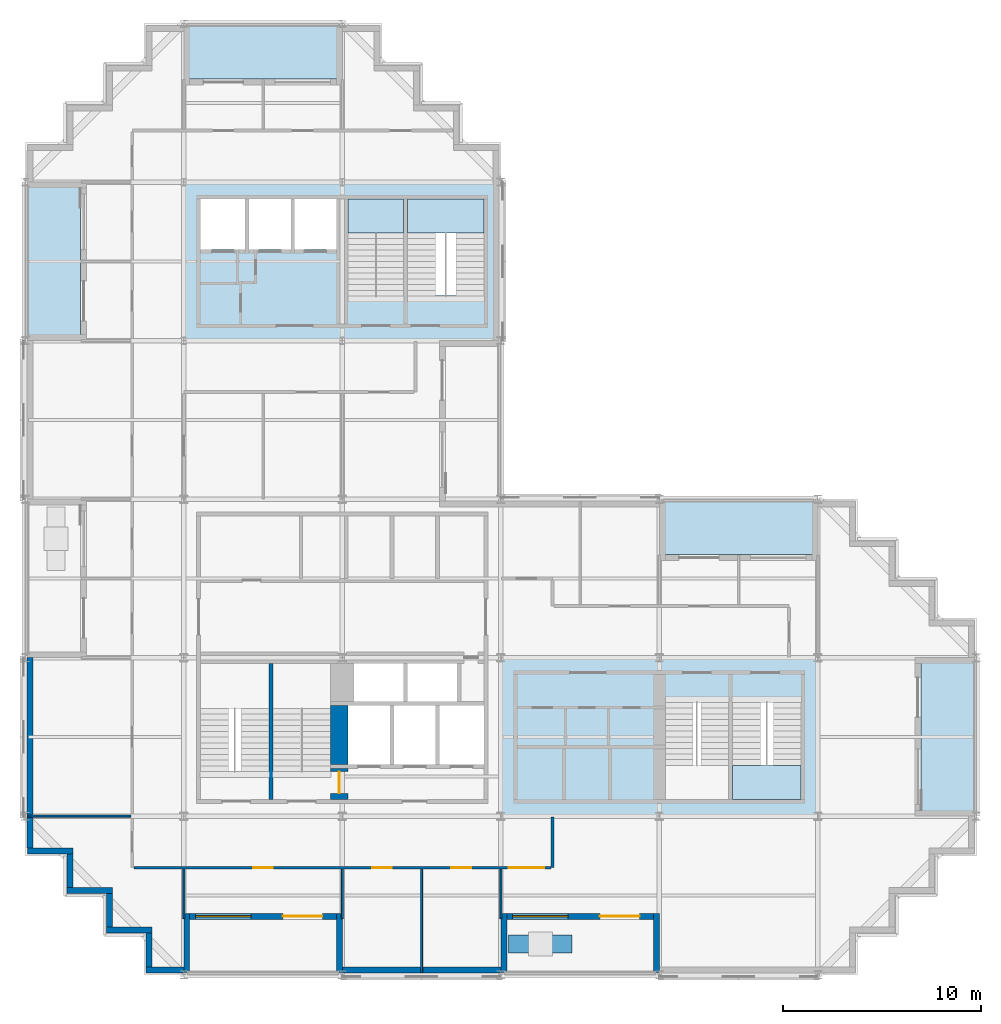
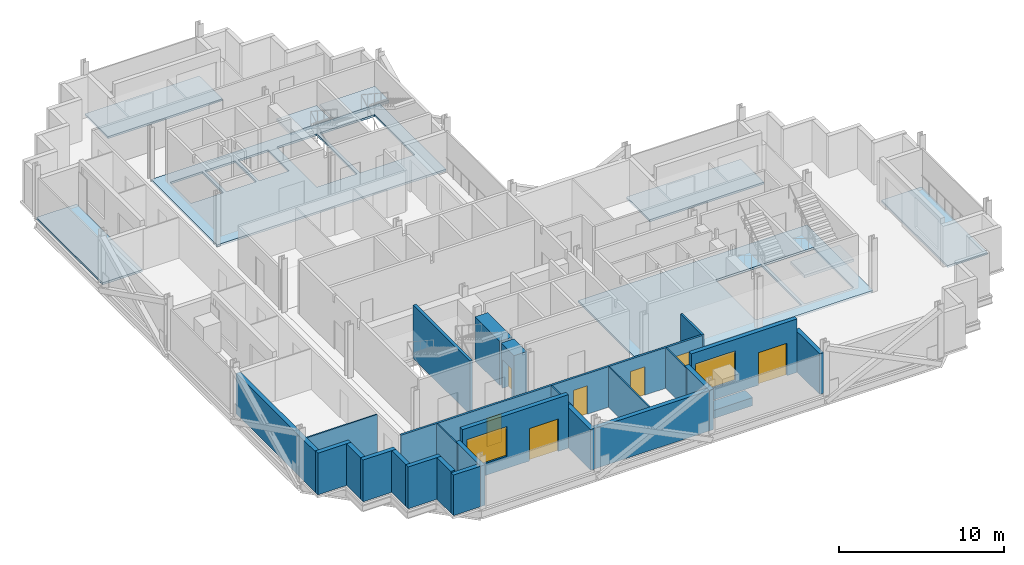
# One storey, part 4 of 12: 26 walls, 9 slabs, 7 doors, 2 windows, 9 openings, 3 elements without a shape of their own.
"""IFC4 building model written with IfcOpenShell, lengths in metres."""

from ifc_helpers import new_model, si_unit, direction, frame, frame_2d, origin, place, context, subcontext, project, spatial, polyline, rectangle, outline, extrude, material, layer, layer_set, type_object, element, fill, aggregate, save


model = new_model("IFC4")

# Units and contexts
model_context = context("Model", 3, precision=1e-05, world=origin(), true_north=direction((0.0, 1.0)))
body_context = subcontext(model_context, "Body", "Model", "MODEL_VIEW")
ifc_project = project(units=[si_unit("LENGTHUNIT", "METRE"), si_unit("AREAUNIT", "SQUARE_METRE"), si_unit("VOLUMEUNIT", "CUBIC_METRE"), si_unit("PLANEANGLEUNIT", "RADIAN"), si_unit("MASSUNIT", "GRAM", prefix="KILO")], contexts=[model_context])

# Site, building, storey
site_placement = place(None, origin())
site = spatial("IfcSite", under=ifc_project, at=site_placement, CompositionType="ELEMENT")
building_placement = place(site_placement, origin())
building = spatial("IfcBuilding", under=site, at=building_placement, Name="Immortelle Media Tower", CompositionType="ELEMENT")
storey_placement = place(building_placement, frame((0.0, 0.0, 178.800048828125)))
storey = spatial("IfcBuildingStorey", under=building, at=storey_placement, Name="L37", CompositionType="ELEMENT", Elevation=178.800048828125)

# Slabs
ifc_material_1 = material(Name="Concrete C50/60 composite deck", Category="concrete")
ifc_layer_1 = layer(ifc_material_1, 0.14990234375)
ifc_layer_set_1 = layer_set([ifc_layer_1], Name="Concrete C50/60 composite deck")
slab_type_1 = type_object("IfcSlabType", Name="Balcony slab 150", PredefinedType="FLOOR", material=ifc_layer_set_1)
slab_1_placement = place(storey_placement, frame((0.0, 0.0, -0.150146484375)))
element("IfcSlab", 1, at=slab_1_placement, inside=storey, type_object=slab_type_1, Name="Balcony slab L37 E0", PredefinedType="FLOOR", context=body_context, shape_type="SweptSolid", body=[
    extrude(outline(polyline([(48.0, 8.0), (48.0, 16.0), (45.199951171875, 16.0), (45.199951171875, 8.0), (48.0, 8.0)])), origin(), (0.0, 0.0, 1.0), 0.150146484375),
])
slab_2_placement = place(storey_placement, frame((0.0, 0.0, -0.150146484375)))
element("IfcSlab", 2, at=slab_2_placement, inside=storey, type_object=slab_type_1, Name="Balcony slab L37 N0", PredefinedType="FLOOR", context=body_context, shape_type="SweptSolid", body=[
    extrude(outline(polyline([(40.0, 21.199951171875), (40.0, 24.0), (32.0, 24.0), (32.0, 21.199951171875), (40.0, 21.199951171875)])), origin(), (0.0, 0.0, 1.0), 0.150146484375),
])
slab_3_placement = place(storey_placement, frame((0.0, 0.0, -0.150146484375)))
element("IfcSlab", 3, at=slab_3_placement, inside=storey, type_object=slab_type_1, Name="Balcony slab L37 N0", PredefinedType="FLOOR", context=body_context, shape_type="SweptSolid", body=[
    extrude(outline(polyline([(16.0, 45.199951171875), (16.0, 48.0), (8.0, 48.0), (8.0, 45.199951171875), (16.0, 45.199951171875)])), origin(), (0.0, 0.0, 1.0), 0.150146484375),
])
slab_4_placement = place(storey_placement, frame((0.0, 0.0, -0.150146484375)))
element("IfcSlab", 4, at=slab_4_placement, inside=storey, type_object=slab_type_1, Name="Balcony slab L37 W0", PredefinedType="FLOOR", context=body_context, shape_type="SweptSolid", body=[
    extrude(outline(polyline([(2.800048828125, 32.0), (2.800048828125, 40.0), (0.0, 40.0), (0.0, 32.0), (2.800048828125, 32.0)])), origin(), (0.0, 0.0, 1.0), 0.150146484375),
])
ifc_material_2 = material(Name="Concrete C50/60", Category="concrete")
ifc_layer_2 = layer(ifc_material_2, 0.14990234375)
ifc_layer_set_2 = layer_set([ifc_layer_2], Name="Concrete C50/60")
slab_type_2 = type_object("IfcSlabType", Name="Core floor slab 150", PredefinedType="FLOOR", material=ifc_layer_set_2)
slab_5_placement = place(storey_placement, frame((0.0, 0.0, -0.150146484375)))
element("IfcSlab", 5, at=slab_5_placement, inside=storey, type_object=slab_type_2, Name="Core floor SE", PredefinedType="FLOOR", context=body_context, shape_type="SweptSolid", body=[
    extrude(outline(polyline([(24.0, 8.0), (40.0, 8.0), (40.0, 16.0), (24.0, 16.0), (24.0, 8.0)]), holes=[polyline([(32.300048828125, 8.85009765625), (35.5, 8.85009765625), (35.5, 13.72998046875), (32.300048828125, 13.72998046875), (32.300048828125, 8.85009765625)]), polyline([(35.699951171875, 8.85009765625), (39.14990234375, 8.85009765625), (39.14990234375, 13.72998046875), (35.699951171875, 13.72998046875), (35.699951171875, 8.85009765625)])]), origin(), (0.0, 0.0, 1.0), 0.150146484375),
])
slab_6_placement = place(storey_placement, frame((0.0, 0.0, -0.150146484375)))
element("IfcSlab", 6, at=slab_6_placement, inside=storey, type_object=slab_type_2, Name="Core floor NW", PredefinedType="FLOOR", context=body_context, shape_type="SweptSolid", body=[
    extrude(outline(polyline([(8.0, 32.0), (24.0, 32.0), (24.0, 40.0), (8.0, 40.0), (8.0, 32.0)]), holes=[polyline([(8.85009765625, 36.60009765625), (11.10009765625, 36.60009765625), (11.10009765625, 39.14990234375), (8.85009765625, 39.14990234375), (8.85009765625, 36.60009765625)]), polyline([(11.300048828125, 36.60009765625), (13.39990234375, 36.60009765625), (13.39990234375, 39.14990234375), (11.300048828125, 39.14990234375), (11.300048828125, 36.60009765625)]), polyline([(13.60009765625, 36.60009765625), (15.699951171875, 36.60009765625), (15.699951171875, 39.14990234375), (13.60009765625, 39.14990234375), (13.60009765625, 36.60009765625)]), polyline([(16.300048828125, 34.27001953125), (19.10009765625, 34.27001953125), (19.10009765625, 39.14990234375), (16.300048828125, 39.14990234375), (16.300048828125, 34.27001953125)]), polyline([(19.300048828125, 34.27001953125), (23.14990234375, 34.27001953125), (23.14990234375, 39.14990234375), (19.300048828125, 39.14990234375), (19.300048828125, 34.27001953125)])]), origin(), (0.0, 0.0, 1.0), 0.150146484375),
])

# Stair, slab
ifc_material_3 = material(Name="Steel ASTM A992 Gr 50", Category="steel")
stair_type = type_object("IfcStairType", Name="Stair with flights", PredefinedType="DOUBLE_RETURN_STAIR", material=ifc_material_3)
stair_1_placement = place(storey_placement, origin())
stair_1 = element("IfcStair", 7, at=stair_1_placement, inside=storey, type_object=stair_type, Name="Exit stair SE2", PredefinedType="DOUBLE_RETURN_STAIR")
ifc_material_4 = material(Name="Steel ASTM A572 Gr 50", Category="steel")
ifc_layer_3 = layer(ifc_material_4, 0.199951171875)
ifc_layer_set_3 = layer_set([ifc_layer_3], Name="Steel ASTM A572 Gr 50")
slab_type_3 = type_object("IfcSlabType", Name="Stair landing 200", PredefinedType="LANDING", material=ifc_layer_set_3)
slab_7_placement = place(storey_placement, frame((0.0, 0.0, 1.89990234375)))
slab_7 = element("IfcSlab", 8, at=slab_7_placement, type_object=slab_type_3, Name="ST SE2 landing 1", PredefinedType="LANDING", context=body_context, shape_type="SweptSolid", body=[
    extrude(outline(polyline([(35.699951171875, 8.85009765625), (39.14990234375, 8.85009765625), (39.14990234375, 10.56005859375), (35.699951171875, 10.56005859375), (35.699951171875, 8.85009765625)])), origin(), (0.0, 0.0, 1.0), 0.199951171875),
])
aggregate(stair_1, [slab_7])

stair_2_placement = place(storey_placement, origin())
stair_2 = element("IfcStair", 9, at=stair_2_placement, inside=storey, type_object=stair_type, Name="Exit stair NW1", PredefinedType="DOUBLE_RETURN_STAIR")
slab_8_placement = place(storey_placement, frame((0.0, 0.0, 1.89990234375)))
slab_8 = element("IfcSlab", 10, at=slab_8_placement, type_object=slab_type_3, Name="ST NW1 landing 1", PredefinedType="LANDING", context=body_context, shape_type="SweptSolid", body=[
    extrude(outline(polyline([(16.300048828125, 37.43994140625), (19.10009765625, 37.43994140625), (19.10009765625, 39.14990234375), (16.300048828125, 39.14990234375), (16.300048828125, 37.43994140625)])), origin(), (0.0, 0.0, 1.0), 0.199951171875),
])
aggregate(stair_2, [slab_8])

stair_3_placement = place(storey_placement, origin())
stair_3 = element("IfcStair", 11, at=stair_3_placement, inside=storey, type_object=stair_type, Name="Exit stair NW2", PredefinedType="DOUBLE_RETURN_STAIR")
slab_9_placement = place(storey_placement, frame((0.0, 0.0, 1.89990234375)))
slab_9 = element("IfcSlab", 12, at=slab_9_placement, type_object=slab_type_3, Name="ST NW2 landing 1", PredefinedType="LANDING", context=body_context, shape_type="SweptSolid", body=[
    extrude(outline(polyline([(19.300048828125, 37.43994140625), (23.14990234375, 37.43994140625), (23.14990234375, 39.14990234375), (19.300048828125, 39.14990234375), (19.300048828125, 37.43994140625)])), origin(), (0.0, 0.0, 1.0), 0.199951171875),
])
aggregate(stair_3, [slab_9])

# Wall, openings, doors
ifc_material_5 = material(Name="Fire-rated gypsum board", Category="gypsum")
ifc_layer_4 = layer(ifc_material_5, 0.012451171875)
ifc_material_6 = material(Name="Steel ASTM A653 SS Gr 50 stud frame with mineral wool", Category="steel")
ifc_layer_5 = layer(ifc_material_6, 0.125)
ifc_layer_6 = layer(ifc_material_5, 0.012451171875)
ifc_layer_set_4 = layer_set([ifc_layer_4, ifc_layer_5, ifc_layer_6], Name="Steel ASTM A653 SS Gr 50 stud frame with mineral wool")
wall_type_1 = type_object("IfcWallType", Name="Corridor wall 150", PredefinedType="PARTITIONING", material=ifc_layer_set_4)
wall_1_placement = place(storey_placement, frame((5.47509765625, 5.39990234375, 0.0), z_axis=(0.0, 0.0, 1.0), x_axis=(1.0, 0.0, 0.0)))
wall_1 = element("IfcWall", 13, at=wall_1_placement, inside=storey, type_object=wall_type_1, Name="Partition L37-005", PredefinedType="PARTITIONING", context=body_context, shape_type="SweptSolid", body=[
    extrude(rectangle(XDim=21.0498046875, YDim=0.14990234375, at=frame_2d((10.52490234375, 0.0))), origin(), (0.0, 0.0, 1.0), 2.993896484375),
])
opening_1_placement = place(wall_1_placement, frame((13.02490234375, 0.0, 0.0), z_axis=(0.0, 0.0, 1.0), x_axis=(-1.0, 0.0, 0.0)))
opening_1 = element("IfcOpeningElement", 14, at=opening_1_placement, cuts=wall_1, Name="Opening C6-F001", PredefinedType="OPENING", context=body_context, shape_type="SweptSolid", body=[
    extrude(rectangle(XDim=1.0, YDim=2.10009765625, at=frame_2d((0.5, 1.050048828125))), frame((0.0, 0.0849609375, 0.0), z_axis=(0.0, -1.0, 0.0), x_axis=(1.0, 0.0, 0.0)), (0.0, 0.0, 1.0), 0.169921875),
])
opening_2_placement = place(wall_1_placement, frame((17.02490234375, 0.0, 0.0), z_axis=(0.0, 0.0, 1.0), x_axis=(-1.0, 0.0, 0.0)))
opening_2 = element("IfcOpeningElement", 15, at=opening_2_placement, cuts=wall_1, Name="Opening C6-F002", PredefinedType="OPENING", context=body_context, shape_type="SweptSolid", body=[
    extrude(rectangle(XDim=1.0, YDim=2.10009765625, at=frame_2d((0.5, 1.050048828125))), frame((0.0, 0.0849609375, 0.0), z_axis=(0.0, -1.0, 0.0), x_axis=(1.0, 0.0, 0.0)), (0.0, 0.0, 1.0), 0.169921875),
])
opening_3_placement = place(wall_1_placement, frame((7.02490234375, 0.0, 0.0), z_axis=(0.0, 0.0, 1.0), x_axis=(-1.0, 0.0, 0.0)))
opening_3 = element("IfcOpeningElement", 16, at=opening_3_placement, cuts=wall_1, Name="Opening C6-F003", PredefinedType="OPENING", context=body_context, shape_type="SweptSolid", body=[
    extrude(rectangle(XDim=1.0, YDim=2.10009765625, at=frame_2d((0.5, 1.050048828125))), frame((0.0, 0.0849609375, 0.0), z_axis=(0.0, -1.0, 0.0), x_axis=(1.0, 0.0, 0.0)), (0.0, 0.0, 1.0), 0.169921875),
])
opening_4_placement = place(wall_1_placement, frame((18.925048828125, 0.0, 0.0)))
opening_4 = element("IfcOpeningElement", 17, at=opening_4_placement, cuts=wall_1, Name="Opening C6-F005", PredefinedType="OPENING", context=body_context, shape_type="SweptSolid", body=[
    extrude(rectangle(XDim=1.800048828125, YDim=2.10009765625, at=frame_2d((0.89990234375, 1.050048828125))), frame((0.0, 0.0849609375, 0.0), z_axis=(0.0, -1.0, 0.0), x_axis=(1.0, 0.0, 0.0)), (0.0, 0.0, 1.0), 0.169921875),
])
ifc_material_7 = material(Name="Timber veneered door leaf, galvanised steel frame ASTM A653", Category="steel")
door_type_1 = type_object("IfcDoorType", Name="Room door 1000 x 2100", OperationType="NOTDEFINED", PredefinedType="DOOR", material=ifc_material_7)
door_1_placement = place(opening_1_placement, origin())
door_1 = element("IfcDoor", 18, at=door_1_placement, inside=storey, type_object=door_type_1, Name="Door C6-F001", OperationType="SINGLE_SWING_RIGHT", OverallHeight=2.10009765625, OverallWidth=1.0, PredefinedType="DOOR", context=body_context, shape_type="SweptSolid", body=[
    extrude(rectangle(XDim=1.0, YDim=2.10009765625, at=frame_2d((0.5, 1.050048828125))), frame((0.0, 0.02490234375, 0.0), z_axis=(0.0, -1.0, 0.0), x_axis=(1.0, 0.0, 0.0)), (0.0, 0.0, 1.0), 0.050048828125),
])
fill(opening_1, door_1)
door_2_placement = place(opening_2_placement, origin())
door_2 = element("IfcDoor", 19, at=door_2_placement, inside=storey, type_object=door_type_1, Name="Door C6-F002", OperationType="SINGLE_SWING_RIGHT", OverallHeight=2.10009765625, OverallWidth=1.0, PredefinedType="DOOR", context=body_context, shape_type="SweptSolid", body=[
    extrude(rectangle(XDim=1.0, YDim=2.10009765625, at=frame_2d((0.5, 1.050048828125))), frame((0.0, 0.02490234375, 0.0), z_axis=(0.0, -1.0, 0.0), x_axis=(1.0, 0.0, 0.0)), (0.0, 0.0, 1.0), 0.050048828125),
])
fill(opening_2, door_2)
door_3_placement = place(opening_3_placement, origin())
door_3 = element("IfcDoor", 20, at=door_3_placement, inside=storey, type_object=door_type_1, Name="Door C6-F003", OperationType="SINGLE_SWING_LEFT", OverallHeight=2.10009765625, OverallWidth=1.0, PredefinedType="DOOR", context=body_context, shape_type="SweptSolid", body=[
    extrude(rectangle(XDim=1.0, YDim=2.10009765625, at=frame_2d((0.5, 1.050048828125))), frame((0.0, 0.02490234375, 0.0), z_axis=(0.0, -1.0, 0.0), x_axis=(1.0, 0.0, 0.0)), (0.0, 0.0, 1.0), 0.050048828125),
])
fill(opening_3, door_3)
door_type_2 = type_object("IfcDoorType", Name="Room door 1800 x 2100", OperationType="DOUBLE_DOOR_SINGLE_SWING", PredefinedType="DOOR", material=ifc_material_7)
door_4_placement = place(opening_4_placement, origin())
door_4 = element("IfcDoor", 21, at=door_4_placement, inside=storey, type_object=door_type_2, Name="Door C6-F005", OperationType="DOUBLE_DOOR_SINGLE_SWING", OverallHeight=2.10009765625, OverallWidth=1.800048828125, PredefinedType="DOOR", context=body_context, shape_type="SweptSolid", body=[
    extrude(rectangle(XDim=1.800048828125, YDim=2.10009765625, at=frame_2d((0.89990234375, 1.050048828125))), frame((0.0, 0.02490234375, 0.0), z_axis=(0.0, -1.0, 0.0), x_axis=(1.0, 0.0, 0.0)), (0.0, 0.0, 1.0), 0.050048828125),
])
fill(opening_4, door_4)

# Walls
wall_2_placement = place(storey_placement, frame((26.60009765625, 5.39990234375, 0.0), z_axis=(0.0, 0.0, 1.0), x_axis=(0.0, 1.0, 0.0)))
element("IfcWall", 22, at=wall_2_placement, inside=storey, type_object=wall_type_1, Name="Partition L37-007", PredefinedType="PARTITIONING", context=body_context, shape_type="SweptSolid", body=[
    extrude(rectangle(XDim=2.570068359375, YDim=0.14990234375, at=frame_2d((1.28515625, 0.0))), origin(), (0.0, 0.0, 1.0), 2.993896484375),
])
ifc_material_8 = material(Name="Pale aluminium cladding panel", Category="aluminium")
ifc_layer_7 = layer(ifc_material_8, 0.030029296875)
ifc_layer_8 = layer(ifc_material_6, 0.257568359375)
ifc_material_9 = material(Name="Moisture-resistant gypsum board", Category="gypsum")
ifc_layer_9 = layer(ifc_material_9, 0.012451171875)
ifc_layer_set_5 = layer_set([ifc_layer_7, ifc_layer_8, ifc_layer_9], Name="Steel ASTM A653 SS Gr 50 stud frame with mineral wool")
wall_type_2 = type_object("IfcWallType", Name="Facade wall 300", PredefinedType="SOLIDWALL", material=ifc_layer_set_5)
wall_3_placement = place(storey_placement, frame((0.10009765625, 6.25, 0.0), z_axis=(0.0, 0.0, 1.0), x_axis=(1.0, 0.0, 0.0)))
element("IfcWall", 23, at=wall_3_placement, inside=storey, type_object=wall_type_2, Name="Facade wall L37 S0", PredefinedType="SOLIDWALL", context=body_context, shape_type="SweptSolid", body=[
    extrude(rectangle(XDim=2.2998046875, YDim=0.300048828125, at=frame_2d((1.14990234375, 0.0))), origin(), (0.0, 0.0, 1.0), 3.087890625),
])
wall_4_placement = place(storey_placement, frame((2.25, 6.10009765625, 0.0), z_axis=(0.0, 0.0, 1.0), x_axis=(0.0, -1.0, 0.0)))
element("IfcWall", 24, at=wall_4_placement, inside=storey, type_object=wall_type_2, Name="Facade wall L37 W1", PredefinedType="SOLIDWALL", context=body_context, shape_type="SweptSolid", body=[
    extrude(rectangle(XDim=1.7001953125, YDim=0.300048828125, at=frame_2d((0.85009765625, 0.0))), origin(), (0.0, 0.0, 1.0), 3.087890625),
])
wall_5_placement = place(storey_placement, frame((2.10009765625, 4.25, 0.0), z_axis=(0.0, 0.0, 1.0), x_axis=(1.0, 0.0, 0.0)))
element("IfcWall", 25, at=wall_5_placement, inside=storey, type_object=wall_type_2, Name="Facade wall L37 S2", PredefinedType="SOLIDWALL", context=body_context, shape_type="SweptSolid", body=[
    extrude(rectangle(XDim=2.2998046875, YDim=0.300048828125, at=frame_2d((1.14990234375, 0.0))), origin(), (0.0, 0.0, 1.0), 3.087890625),
])
wall_6_placement = place(storey_placement, frame((4.25, 4.10009765625, 0.0), z_axis=(0.0, 0.0, 1.0), x_axis=(0.0, -1.0, 0.0)))
element("IfcWall", 26, at=wall_6_placement, inside=storey, type_object=wall_type_2, Name="Facade wall L37 W3", PredefinedType="SOLIDWALL", context=body_context, shape_type="SweptSolid", body=[
    extrude(rectangle(XDim=1.7001953125, YDim=0.300048828125, at=frame_2d((0.85009765625, 0.0))), origin(), (0.0, 0.0, 1.0), 3.087890625),
])
wall_7_placement = place(storey_placement, frame((4.10009765625, 2.25, 0.0), z_axis=(0.0, 0.0, 1.0), x_axis=(1.0, 0.0, 0.0)))
element("IfcWall", 27, at=wall_7_placement, inside=storey, type_object=wall_type_2, Name="Facade wall L37 S4", PredefinedType="SOLIDWALL", context=body_context, shape_type="SweptSolid", body=[
    extrude(rectangle(XDim=2.2998046875, YDim=0.300048828125, at=frame_2d((1.14990234375, 0.0))), origin(), (0.0, 0.0, 1.0), 3.087890625),
])
wall_8_placement = place(storey_placement, frame((6.25, 2.10009765625, 0.0), z_axis=(0.0, 0.0, 1.0), x_axis=(0.0, -1.0, 0.0)))
element("IfcWall", 28, at=wall_8_placement, inside=storey, type_object=wall_type_2, Name="Facade wall L37 W5", PredefinedType="SOLIDWALL", context=body_context, shape_type="SweptSolid", body=[
    extrude(rectangle(XDim=1.7001953125, YDim=0.300048828125, at=frame_2d((0.85009765625, 0.0))), origin(), (0.0, 0.0, 1.0), 3.087890625),
])
wall_9_placement = place(storey_placement, frame((6.10009765625, 0.25, 0.0), z_axis=(0.0, 0.0, 1.0), x_axis=(1.0, 0.0, 0.0)))
element("IfcWall", 29, at=wall_9_placement, inside=storey, type_object=wall_type_2, Name="Facade wall L37 S6", PredefinedType="SOLIDWALL", context=body_context, shape_type="SweptSolid", body=[
    extrude(rectangle(XDim=1.89990234375, YDim=0.300048828125, at=frame_2d((0.949951171875, 0.0))), origin(), (0.0, 0.0, 1.0), 2.9990234375),
])

# Wall, openings, door, window
wall_10_placement = place(storey_placement, frame((8.300048828125, 2.949951171875, 0.0), z_axis=(0.0, 0.0, 1.0), x_axis=(1.0, 0.0, 0.0)))
wall_10 = element("IfcWall", 30, at=wall_10_placement, inside=storey, type_object=wall_type_2, Name="Loggia wall L37 S6", PredefinedType="SOLIDWALL", context=body_context, shape_type="SweptSolid", body=[
    extrude(rectangle(XDim=7.39990234375, YDim=0.300048828125, at=frame_2d((3.699951171875, 0.0))), origin(), (0.0, 0.0, 1.0), 3.949951171875),
])
opening_5_placement = place(wall_10_placement, frame((0.300048828125, 0.0, 0.89990234375)))
opening_5 = element("IfcOpeningElement", 31, at=opening_5_placement, cuts=wall_10, Name="Opening W1", PredefinedType="OPENING", context=body_context, shape_type="SweptSolid", body=[
    extrude(rectangle(XDim=2.800048828125, YDim=2.199951171875, at=frame_2d((1.39990234375, 1.10009765625))), frame((0.0, 0.159912109375, 0.0), z_axis=(0.0, -1.0, 0.0), x_axis=(1.0, 0.0, 0.0)), (0.0, 0.0, 1.0), 0.320068359375),
])
opening_6_placement = place(wall_10_placement, frame((4.699951171875, 0.0, 0.0)))
opening_6 = element("IfcOpeningElement", 32, at=opening_6_placement, cuts=wall_10, Name="Opening C6-E001", PredefinedType="OPENING", context=body_context, shape_type="SweptSolid", body=[
    extrude(rectangle(XDim=2.0, YDim=2.39990234375, at=frame_2d((1.0, 1.199951171875))), frame((0.0, 0.159912109375, 0.0), z_axis=(0.0, -1.0, 0.0), x_axis=(1.0, 0.0, 0.0)), (0.0, 0.0, 1.0), 0.320068359375),
])
ifc_material_10 = material(Name="Aluminium frame, glazed leaves", Category="aluminium")
door_type_3 = type_object("IfcDoorType", Name="Loggia door 2000 x 2400", OperationType="DOUBLE_DOOR_SINGLE_SWING", PredefinedType="DOOR", material=ifc_material_10)
door_5_placement = place(opening_6_placement, origin())
door_5 = element("IfcDoor", 33, at=door_5_placement, inside=storey, type_object=door_type_3, Name="Door C6-E001", OperationType="DOUBLE_DOOR_SINGLE_SWING", OverallHeight=2.39990234375, OverallWidth=2.0, PredefinedType="DOOR", context=body_context, shape_type="SweptSolid", body=[
    extrude(rectangle(XDim=2.0, YDim=2.39990234375, at=frame_2d((1.0, 1.199951171875))), frame((0.0, 0.02490234375, 0.0), z_axis=(0.0, -1.0, 0.0), x_axis=(1.0, 0.0, 0.0)), (0.0, 0.0, 1.0), 0.050048828125),
])
fill(opening_6, door_5)
ifc_material_11 = material(Name="Aluminium frame", Category="aluminium")
window_type = type_object("IfcWindowType", Name="Window 2800 x 2200", PartitioningType="SINGLE_PANEL", PredefinedType="WINDOW", material=ifc_material_11)
window_1_placement = place(opening_5_placement, origin())
window_1 = element("IfcWindow", 34, at=window_1_placement, inside=storey, type_object=window_type, Name="Window L37 L37-R6-B0", OverallHeight=2.199951171875, OverallWidth=2.800048828125, PartitioningType="SINGLE_PANEL", PredefinedType="WINDOW", context=body_context, shape_type="SweptSolid", body=[
    extrude(rectangle(XDim=2.800048828125, YDim=2.199951171875, at=frame_2d((1.39990234375, 1.10009765625))), frame((0.0, 0.030029296875, 0.0), z_axis=(0.0, -1.0, 0.0), x_axis=(1.0, 0.0, 0.0)), (0.0, 0.0, 1.0), 0.06005859375),
])
fill(opening_5, window_1)

# Walls
for number, where, z_axis, x_axis, name in (
    (35, (8.14990234375, 0.10009765625, 0.0), (0.0, 0.0, 1.0), (0.0, 1.0, 0.0), "Loggia cheek wall L37 S"),
    (36, (15.85009765625, 0.10009765625, 0.0), (0.0, 0.0, 1.0), (0.0, 1.0, 0.0), "Loggia cheek wall L37 S"),
):
    element("IfcWall", number, at=place(storey_placement, frame(where, z_axis=z_axis, x_axis=x_axis)), inside=storey, type_object=wall_type_2, Name=name, PredefinedType="SOLIDWALL", context=body_context, shape_type="SweptSolid", body=[
        extrude(rectangle(XDim=3.0, YDim=0.300048828125, at=frame_2d((1.5, 0.0))), origin(), (0.0, 0.0, 1.0), 2.9990234375),
    ])
wall_11_placement = place(storey_placement, frame((16.0, 0.25, 0.0), z_axis=(0.0, 0.0, 1.0), x_axis=(1.0, 0.0, 0.0)))
element("IfcWall", 37, at=wall_11_placement, inside=storey, type_object=wall_type_2, Name="Facade wall L37 S6", PredefinedType="SOLIDWALL", context=body_context, shape_type="SweptSolid", body=[
    extrude(rectangle(XDim=8.0, YDim=0.300048828125, at=frame_2d((4.0, 0.0))), origin(), (0.0, 0.0, 1.0), 2.9990234375),
])

# Wall, openings, door, window
wall_12_placement = place(storey_placement, frame((24.300048828125, 2.949951171875, 0.0), z_axis=(0.0, 0.0, 1.0), x_axis=(1.0, 0.0, 0.0)))
wall_12 = element("IfcWall", 38, at=wall_12_placement, inside=storey, type_object=wall_type_2, Name="Loggia wall L37 S6", PredefinedType="SOLIDWALL", context=body_context, shape_type="SweptSolid", body=[
    extrude(rectangle(XDim=7.39990234375, YDim=0.300048828125, at=frame_2d((3.699951171875, 0.0))), origin(), (0.0, 0.0, 1.0), 3.949951171875),
])
opening_7_placement = place(wall_12_placement, frame((0.300048828125, 0.0, 0.89990234375)))
opening_7 = element("IfcOpeningElement", 39, at=opening_7_placement, cuts=wall_12, Name="Opening W1", PredefinedType="OPENING", context=body_context, shape_type="SweptSolid", body=[
    extrude(rectangle(XDim=2.800048828125, YDim=2.199951171875, at=frame_2d((1.39990234375, 1.10009765625))), frame((0.0, 0.159912109375, 0.0), z_axis=(0.0, -1.0, 0.0), x_axis=(1.0, 0.0, 0.0)), (0.0, 0.0, 1.0), 0.320068359375),
])
opening_8_placement = place(wall_12_placement, frame((4.699951171875, 0.0, 0.0)))
opening_8 = element("IfcOpeningElement", 40, at=opening_8_placement, cuts=wall_12, Name="Opening C6-E002", PredefinedType="OPENING", context=body_context, shape_type="SweptSolid", body=[
    extrude(rectangle(XDim=2.0, YDim=2.39990234375, at=frame_2d((1.0, 1.199951171875))), frame((0.0, 0.159912109375, 0.0), z_axis=(0.0, -1.0, 0.0), x_axis=(1.0, 0.0, 0.0)), (0.0, 0.0, 1.0), 0.320068359375),
])
door_6_placement = place(opening_8_placement, origin())
door_6 = element("IfcDoor", 41, at=door_6_placement, inside=storey, type_object=door_type_3, Name="Door C6-E002", OperationType="DOUBLE_DOOR_SINGLE_SWING", OverallHeight=2.39990234375, OverallWidth=2.0, PredefinedType="DOOR", context=body_context, shape_type="SweptSolid", body=[
    extrude(rectangle(XDim=2.0, YDim=2.39990234375, at=frame_2d((1.0, 1.199951171875))), frame((0.0, 0.02490234375, 0.0), z_axis=(0.0, -1.0, 0.0), x_axis=(1.0, 0.0, 0.0)), (0.0, 0.0, 1.0), 0.050048828125),
])
fill(opening_8, door_6)
window_2_placement = place(opening_7_placement, origin())
window_2 = element("IfcWindow", 42, at=window_2_placement, inside=storey, type_object=window_type, Name="Window L37 L37-R6-B2", OverallHeight=2.199951171875, OverallWidth=2.800048828125, PartitioningType="SINGLE_PANEL", PredefinedType="WINDOW", context=body_context, shape_type="SweptSolid", body=[
    extrude(rectangle(XDim=2.800048828125, YDim=2.199951171875, at=frame_2d((1.39990234375, 1.10009765625))), frame((0.0, 0.030029296875, 0.0), z_axis=(0.0, -1.0, 0.0), x_axis=(1.0, 0.0, 0.0)), (0.0, 0.0, 1.0), 0.06005859375),
])
fill(opening_7, window_2)

# Walls
for number, where, z_axis, x_axis, name in (
    (43, (24.14990234375, 0.10009765625, 0.0), (0.0, 0.0, 1.0), (0.0, 1.0, 0.0), "Loggia cheek wall L37 S"),
    (44, (31.85009765625, 0.10009765625, 0.0), (0.0, 0.0, 1.0), (0.0, 1.0, 0.0), "Loggia cheek wall L37 S"),
):
    element("IfcWall", number, at=place(storey_placement, frame(where, z_axis=z_axis, x_axis=x_axis)), inside=storey, type_object=wall_type_2, Name=name, PredefinedType="SOLIDWALL", context=body_context, shape_type="SweptSolid", body=[
        extrude(rectangle(XDim=3.0, YDim=0.300048828125, at=frame_2d((1.5, 0.0))), origin(), (0.0, 0.0, 1.0), 2.9990234375),
    ])
wall_13_placement = place(storey_placement, frame((0.25, 16.0, 0.0), z_axis=(0.0, 0.0, 1.0), x_axis=(0.0, -1.0, 0.0)))
element("IfcWall", 45, at=wall_13_placement, inside=storey, type_object=wall_type_2, Name="Facade wall L37 W35", PredefinedType="SOLIDWALL", context=body_context, shape_type="SweptSolid", body=[
    extrude(rectangle(XDim=9.60009765625, YDim=0.300048828125, at=frame_2d((4.800048828125, 0.0))), origin(), (0.0, 0.0, 1.0), 2.9990234375),
])
ifc_material_12 = material(Name="Gypsum board", Category="gypsum")
ifc_layer_10 = layer(ifc_material_12, 0.012451171875)
ifc_layer_11 = layer(ifc_material_6, 0.074951171875)
ifc_layer_12 = layer(ifc_material_12, 0.012451171875)
ifc_layer_set_6 = layer_set([ifc_layer_10, ifc_layer_11, ifc_layer_12], Name="Steel ASTM A653 SS Gr 50 stud frame with mineral wool")
wall_type_3 = type_object("IfcWallType", Name="Partition 100", PredefinedType="PARTITIONING", material=ifc_layer_set_6)
wall_14_placement = place(storey_placement, frame((20.0, 0.1298828125, 0.0), z_axis=(0.0, 0.0, 1.0), x_axis=(0.0, 1.0, 0.0)))
element("IfcWall", 46, at=wall_14_placement, inside=storey, type_object=wall_type_3, Name="Partition L37-001", PredefinedType="PARTITIONING", context=body_context, shape_type="SweptSolid", body=[
    extrude(rectangle(XDim=5.195068359375, YDim=0.10009765625, at=frame_2d((2.59765625, 0.0))), origin(), (0.0, 0.0, 1.0), 2.993896484375),
])
for number, where, z_axis, x_axis, name in (
    (47, (8.0, 2.830078125, 0.0), (0.0, 0.0, 1.0), (0.0, 1.0, 0.0), "Partition L37-002"),
    (48, (16.0, 2.830078125, 0.0), (0.0, 0.0, 1.0), (0.0, 1.0, 0.0), "Partition L37-003"),
    (49, (24.0, 2.830078125, 0.0), (0.0, 0.0, 1.0), (0.0, 1.0, 0.0), "Partition L37-004"),
):
    element("IfcWall", number, at=place(storey_placement, frame(where, z_axis=z_axis, x_axis=x_axis)), inside=storey, type_object=wall_type_3, Name=name, PredefinedType="PARTITIONING", context=body_context, shape_type="SweptSolid", body=[
        extrude(rectangle(XDim=2.494873046875, YDim=0.10009765625, at=frame_2d((1.24755859375, 0.0))), origin(), (0.0, 0.0, 1.0), 2.993896484375),
    ])
wall_15_placement = place(storey_placement, frame((0.1298828125, 8.0, 0.0), z_axis=(0.0, 0.0, 1.0), x_axis=(1.0, 0.0, 0.0)))
element("IfcWall", 50, at=wall_15_placement, inside=storey, type_object=wall_type_3, Name="Partition L37-008", PredefinedType="PARTITIONING", context=body_context, shape_type="SweptSolid", body=[
    extrude(rectangle(XDim=5.195068359375, YDim=0.10009765625, at=frame_2d((2.59765625, 0.0))), origin(), (0.0, 0.0, 1.0), 2.993896484375),
])
ifc_layer_13 = layer(ifc_material_8, 0.0029296875)
ifc_material_13 = material(Name="Steel ASTM A572 Gr 50 planter shell", Category="steel")
ifc_layer_14 = layer(ifc_material_13, 0.011962890625)
ifc_material_14 = material(Name="Planting substrate", Category="soil")
ifc_layer_15 = layer(ifc_material_14, 0.873046875)
ifc_layer_16 = layer(ifc_material_13, 0.011962890625)
ifc_layer_set_7 = layer_set([ifc_layer_13, ifc_layer_14, ifc_layer_15, ifc_layer_16], Name="Steel ASTM A572 Gr 50 planter shell")
wall_type_4 = type_object("IfcWallType", Name="Planter wall 900", PredefinedType="SOLIDWALL", material=ifc_layer_set_7)
wall_16_placement = place(storey_placement, frame((24.39990234375, 1.550048828125, 0.0), z_axis=(0.0, 0.0, 1.0), x_axis=(1.0, 0.0, 0.0)))
element("IfcWall", 51, at=wall_16_placement, inside=storey, type_object=wall_type_4, Name="Planter L37 S2", PredefinedType="SOLIDWALL", context=body_context, shape_type="SweptSolid", body=[
    extrude(rectangle(XDim=3.2001953125, YDim=0.89990234375, at=frame_2d((1.60009765625, 0.0))), origin(), (0.0, 0.0, 1.0), 0.599853515625),
])
ifc_material_15 = material(Name="Concrete C60", Category="concrete")
ifc_layer_17 = layer(ifc_material_15, 0.199951171875)
ifc_layer_set_8 = layer_set([ifc_layer_17], Name="Concrete C60")
wall_type_5 = type_object("IfcWallType", Name="Stair shaft wall 200", PredefinedType="PARTITIONING", material=ifc_layer_set_8)
wall_17_placement = place(storey_placement, frame((12.39990234375, 8.85009765625, 0.0), z_axis=(0.0, 0.0, 1.0), x_axis=(0.0, 1.0, 0.0)))
element("IfcWall", 52, at=wall_17_placement, inside=storey, type_object=wall_type_5, Name="Stair shaft wall SW", PredefinedType="PARTITIONING", context=body_context, shape_type="SweptSolid", body=[
    extrude(rectangle(XDim=6.849853515625, YDim=0.199951171875, at=frame_2d((3.4248046875, 0.0))), origin(), (0.0, 0.0, 1.0), 3.949951171875),
])

# Wall, opening, door
ifc_layer_18 = layer(ifc_material_15, 0.89990234375)
ifc_layer_set_9 = layer_set([ifc_layer_18], Name="Concrete C60")
wall_type_6 = type_object("IfcWallType", Name="Stair shaft wall 900", PredefinedType="PARTITIONING", material=ifc_layer_set_9)
wall_18_placement = place(storey_placement, frame((15.85009765625, 8.85009765625, 0.0), z_axis=(0.0, 0.0, 1.0), x_axis=(0.0, 1.0, 0.0)))
wall_18 = element("IfcWall", 53, at=wall_18_placement, inside=storey, type_object=wall_type_6, Name="Stair shaft wall SW", PredefinedType="PARTITIONING", context=body_context, shape_type="SweptSolid", body=[
    extrude(rectangle(XDim=1.5498046875, YDim=0.89990234375, at=frame_2d((0.77490234375, 0.0))), origin(), (0.0, 0.0, 1.0), 3.265869140625),
])
opening_9_placement = place(wall_18_placement, frame((0.300048828125, 0.0, 0.0)))
opening_9 = element("IfcOpeningElement", 54, at=opening_9_placement, cuts=wall_18, Name="Opening C6-K006", PredefinedType="OPENING", context=body_context, shape_type="SweptSolid", body=[
    extrude(rectangle(XDim=1.10009765625, YDim=2.10009765625, at=frame_2d((0.550048828125, 1.050048828125))), frame((0.0, 0.4599609375, 0.0), z_axis=(0.0, -1.0, 0.0), x_axis=(1.0, 0.0, 0.0)), (0.0, 0.0, 1.0), 0.919921875),
])
ifc_material_16 = material(Name="Galvanised steel door leaf and frame ASTM A653", Category="steel")
door_type_4 = type_object("IfcDoorType", Name="Stair lobby door 1100 x 2100", OperationType="NOTDEFINED", PredefinedType="NOTDEFINED", material=ifc_material_16)
door_7_placement = place(opening_9_placement, origin())
door_7 = element("IfcDoor", 55, at=door_7_placement, inside=storey, type_object=door_type_4, Name="Stair lobby C6-K006", OperationType="SINGLE_SWING_LEFT", OverallHeight=2.10009765625, OverallWidth=1.10009765625, PredefinedType="NOTDEFINED", context=body_context, shape_type="SweptSolid", body=[
    extrude(rectangle(XDim=1.10009765625, YDim=2.10009765625, at=frame_2d((0.550048828125, 1.050048828125))), frame((0.0, 0.02490234375, 0.0), z_axis=(0.0, -1.0, 0.0), x_axis=(1.0, 0.0, 0.0)), (0.0, 0.0, 1.0), 0.050048828125),
])
fill(opening_9, door_7)

# Wall
wall_19_placement = place(storey_placement, frame((15.85009765625, 10.60009765625, 0.0), z_axis=(0.0, 0.0, 1.0), x_axis=(0.0, 1.0, 0.0)))
element("IfcWall", 56, at=wall_19_placement, inside=storey, type_object=wall_type_6, Name="Stair shaft wall SW", PredefinedType="PARTITIONING", context=body_context, shape_type="SweptSolid", body=[
    extrude(rectangle(XDim=3.0, YDim=0.89990234375, at=frame_2d((1.5, 0.0))), origin(), (0.0, 0.0, 1.0), 3.265869140625),
])

save(model, "model.ifc")
